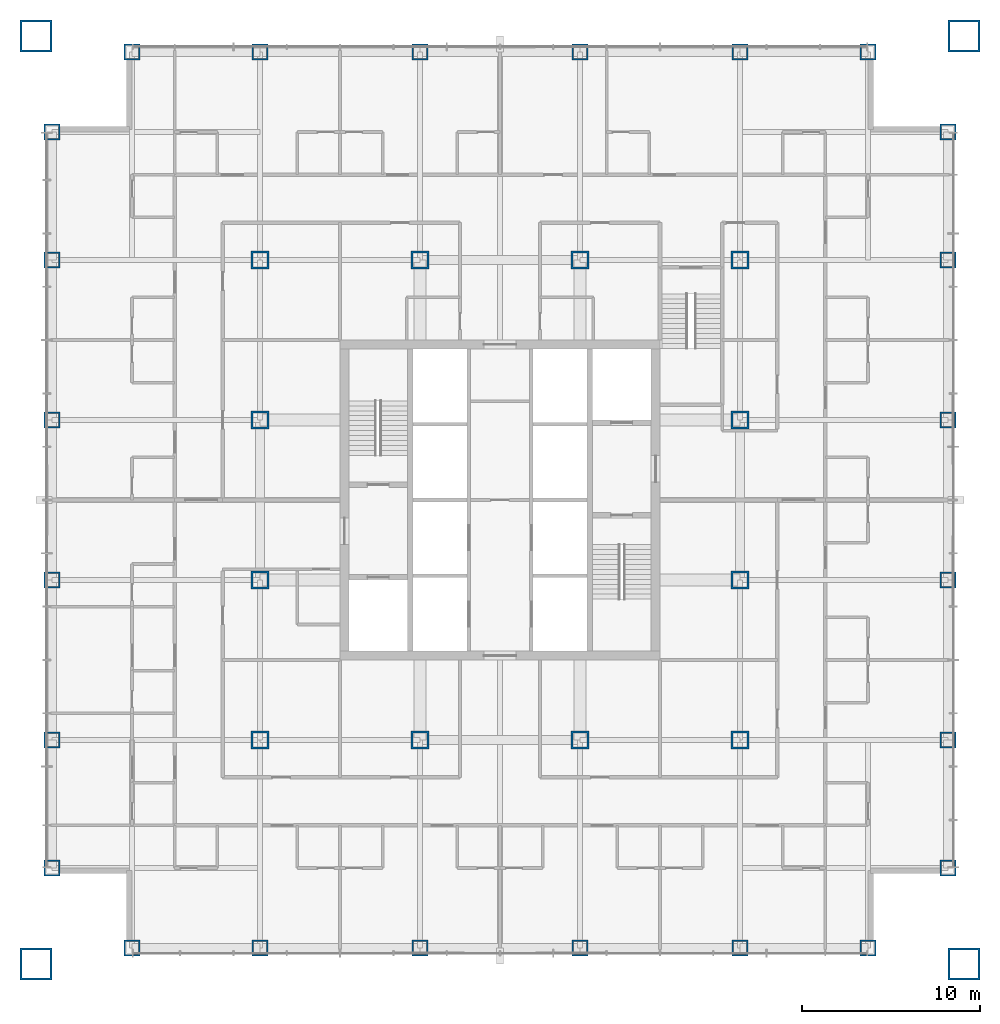
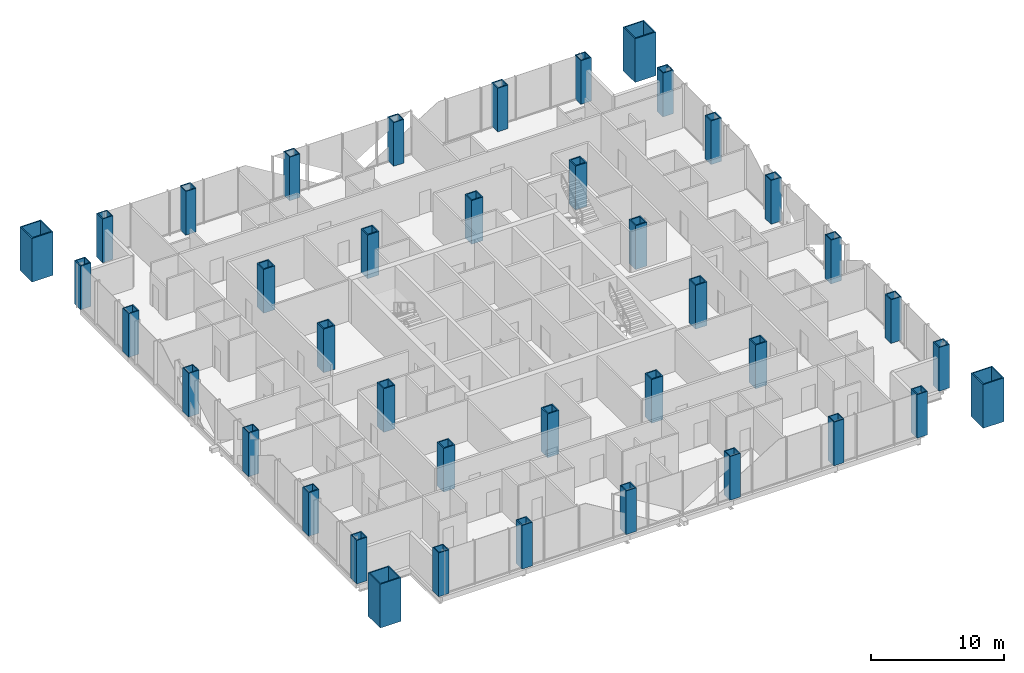
# One storey, part 1 of 13: 40 columns.
"""IFC4 building model written with IfcOpenShell, lengths in metres."""

from ifc_helpers import new_model, si_unit, direction, frame, origin, origin_2d, place, context, subcontext, project, spatial, hollow_rectangle, extrude, material, material_profile, profile_set, type_object, element, save


model = new_model("IFC4")

# Units and contexts
model_context = context("Model", 3, precision=1e-05, world=origin(), true_north=direction((0.0, 1.0)))
body_context = subcontext(model_context, "Body", "Model", "MODEL_VIEW")
ifc_project = project(units=[si_unit("LENGTHUNIT", "METRE"), si_unit("AREAUNIT", "SQUARE_METRE"), si_unit("VOLUMEUNIT", "CUBIC_METRE"), si_unit("PLANEANGLEUNIT", "RADIAN"), si_unit("MASSUNIT", "GRAM", prefix="KILO")], contexts=[model_context])

# Site, building, storey
site_placement = place(None, origin())
site = spatial("IfcSite", under=ifc_project, at=site_placement, CompositionType="ELEMENT")
building_placement = place(site_placement, origin())
building = spatial("IfcBuilding", under=site, at=building_placement, Name="Malebo Sky Hospital", CompositionType="ELEMENT")
storey_placement = place(building_placement, frame((0.0, 0.0, 47.0)))
storey = spatial("IfcBuildingStorey", under=building, at=storey_placement, Name="L10", CompositionType="ELEMENT", Elevation=47.0)

# Columns
ifc_material = material(Name="Steel S460", Category="steel")
ifc_material_profile_1 = material_profile(ifc_material, hollow_rectangle(XDim=1.0, YDim=1.0, WallThickness=0.10009765625, at=origin_2d()), Name="BOX 1000x1000x100")
ifc_profile_set_1 = profile_set([ifc_material_profile_1], Name="Steel S460")
column_type_1 = type_object("IfcColumnType", Name="INNER COLUMN BOX 1000x1000x100", PredefinedType="COLUMN", material=ifc_profile_set_1)
for number, where, z_axis, x_axis, name in (
    (1, (46.5, 48.5, 0.0), (0.0, 0.0, 1.0), (1.0, 0.0, 0.0), "Column IC9 L10"),
    (2, (73.5, 48.5, 0.0), (0.0, 0.0, 1.0), (1.0, 0.0, 0.0), "Column IC9 L10"),
    (3, (73.5, 75.5, 0.0), (0.0, 0.0, 1.0), (1.0, 0.0, 0.0), "Column IC9 L10"),
    (4, (46.5, 75.5, 0.0), (0.0, 0.0, 1.0), (1.0, 0.0, 0.0), "Column IC9 L10"),
    (5, (55.5, 48.5, 0.0), (0.0, 0.0, 1.0), (1.0, 0.0, 0.0), "Column IC9 L10"),
    (6, (64.5, 48.5, 0.0), (0.0, 0.0, 1.0), (1.0, 0.0, 0.0), "Column IC9 L10"),
    (7, (55.5, 75.5, 0.0), (0.0, 0.0, 1.0), (1.0, 0.0, 0.0), "Column IC9 L10"),
    (8, (64.5, 75.5, 0.0), (0.0, 0.0, 1.0), (1.0, 0.0, 0.0), "Column IC9 L10"),
    (9, (46.5, 57.5, 0.0), (0.0, 0.0, 1.0), (1.0, 0.0, 0.0), "Column IC9 L10"),
    (10, (46.5, 66.5, 0.0), (0.0, 0.0, 1.0), (1.0, 0.0, 0.0), "Column IC9 L10"),
    (11, (73.5, 57.5, 0.0), (0.0, 0.0, 1.0), (1.0, 0.0, 0.0), "Column IC9 L10"),
    (12, (73.5, 66.5, 0.0), (0.0, 0.0, 1.0), (1.0, 0.0, 0.0), "Column IC9 L10"),
):
    element("IfcColumn", number, at=place(storey_placement, frame(where, z_axis=z_axis, x_axis=x_axis)), inside=storey, type_object=column_type_1, Name=name, PredefinedType="COLUMN", context=body_context, shape_type="SweptSolid", body=[
        extrude(hollow_rectangle(XDim=1.0, YDim=1.0, WallThickness=0.10009765625, at=origin_2d()), origin(), (0.0, 0.0, 1.0), 4.0),
    ])
ifc_material_profile_2 = material_profile(ifc_material, hollow_rectangle(XDim=1.800048828125, YDim=1.800048828125, WallThickness=0.10009765625, at=origin_2d()), Name="BOX 1800x1800x100")
ifc_profile_set_2 = profile_set([ifc_material_profile_2], Name="Steel S460")
column_type_2 = type_object("IfcColumnType", Name="MEGA COLUMN BOX 1800x1800x100", PredefinedType="COLUMN", material=ifc_profile_set_2)
for number, where, z_axis, x_axis, name in (
    (13, (33.89990234375, 35.89990234375, 0.0), (0.0, 0.0, 1.0), (1.0, 0.0, 0.0), "Mega column SW L10"),
    (14, (86.10009765625, 35.89990234375, 0.0), (0.0, 0.0, 1.0), (1.0, 0.0, 0.0), "Mega column SE L10"),
    (15, (86.10009765625, 88.10009765625, 0.0), (0.0, 0.0, 1.0), (1.0, 0.0, 0.0), "Mega column NE L10"),
    (16, (33.89990234375, 88.10009765625, 0.0), (0.0, 0.0, 1.0), (1.0, 0.0, 0.0), "Mega column NW L10"),
):
    element("IfcColumn", number, at=place(storey_placement, frame(where, z_axis=z_axis, x_axis=x_axis)), inside=storey, type_object=column_type_2, Name=name, PredefinedType="COLUMN", context=body_context, shape_type="SweptSolid", body=[
        extrude(hollow_rectangle(XDim=1.800048828125, YDim=1.800048828125, WallThickness=0.10009765625, at=origin_2d()), origin(), (0.0, 0.0, 1.0), 4.0),
    ])
ifc_material_profile_3 = material_profile(ifc_material, hollow_rectangle(XDim=0.89990234375, YDim=0.89990234375, WallThickness=0.080078125, at=origin_2d()), Name="BOX 900x900x80")
ifc_profile_set_3 = profile_set([ifc_material_profile_3], Name="Steel S460")
column_type_3 = type_object("IfcColumnType", Name="PERIMETER COLUMN BOX 900x900x80", PredefinedType="COLUMN", material=ifc_profile_set_3)
for number, where, z_axis, x_axis, name in (
    (17, (39.300048828125, 36.800048828125, 0.0), (0.0, 0.0, 1.0), (1.0, 0.0, 0.0), "Column PC8 L10"),
    (18, (39.300048828125, 87.199951171875, 0.0), (0.0, 0.0, 1.0), (1.0, 0.0, 0.0), "Column PC8 L10"),
    (19, (34.800048828125, 41.300048828125, 0.0), (0.0, 0.0, 1.0), (1.0, 0.0, 0.0), "Column PC8 L10"),
    (20, (85.199951171875, 41.300048828125, 0.0), (0.0, 0.0, 1.0), (1.0, 0.0, 0.0), "Column PC8 L10"),
    (21, (46.5, 36.800048828125, 0.0), (0.0, 0.0, 1.0), (1.0, 0.0, 0.0), "Column PC8 L10"),
    (22, (46.5, 87.199951171875, 0.0), (0.0, 0.0, 1.0), (1.0, 0.0, 0.0), "Column PC8 L10"),
    (23, (34.800048828125, 48.5, 0.0), (0.0, 0.0, 1.0), (1.0, 0.0, 0.0), "Column PC8 L10"),
    (24, (85.199951171875, 48.5, 0.0), (0.0, 0.0, 1.0), (1.0, 0.0, 0.0), "Column PC8 L10"),
    (25, (55.5, 36.800048828125, 0.0), (0.0, 0.0, 1.0), (1.0, 0.0, 0.0), "Column PC8 L10"),
    (26, (55.5, 87.199951171875, 0.0), (0.0, 0.0, 1.0), (1.0, 0.0, 0.0), "Column PC8 L10"),
    (27, (34.800048828125, 57.5, 0.0), (0.0, 0.0, 1.0), (1.0, 0.0, 0.0), "Column PC8 L10"),
    (28, (85.199951171875, 57.5, 0.0), (0.0, 0.0, 1.0), (1.0, 0.0, 0.0), "Column PC8 L10"),
    (29, (64.5, 36.800048828125, 0.0), (0.0, 0.0, 1.0), (1.0, 0.0, 0.0), "Column PC8 L10"),
    (30, (64.5, 87.199951171875, 0.0), (0.0, 0.0, 1.0), (1.0, 0.0, 0.0), "Column PC8 L10"),
    (31, (34.800048828125, 66.5, 0.0), (0.0, 0.0, 1.0), (1.0, 0.0, 0.0), "Column PC8 L10"),
    (32, (85.199951171875, 66.5, 0.0), (0.0, 0.0, 1.0), (1.0, 0.0, 0.0), "Column PC8 L10"),
    (33, (73.5, 36.800048828125, 0.0), (0.0, 0.0, 1.0), (1.0, 0.0, 0.0), "Column PC8 L10"),
    (34, (73.5, 87.199951171875, 0.0), (0.0, 0.0, 1.0), (1.0, 0.0, 0.0), "Column PC8 L10"),
    (35, (34.800048828125, 75.5, 0.0), (0.0, 0.0, 1.0), (1.0, 0.0, 0.0), "Column PC8 L10"),
    (36, (85.199951171875, 75.5, 0.0), (0.0, 0.0, 1.0), (1.0, 0.0, 0.0), "Column PC8 L10"),
    (37, (80.699951171875, 36.800048828125, 0.0), (0.0, 0.0, 1.0), (1.0, 0.0, 0.0), "Column PC8 L10"),
    (38, (80.699951171875, 87.199951171875, 0.0), (0.0, 0.0, 1.0), (1.0, 0.0, 0.0), "Column PC8 L10"),
    (39, (34.800048828125, 82.699951171875, 0.0), (0.0, 0.0, 1.0), (1.0, 0.0, 0.0), "Column PC8 L10"),
    (40, (85.199951171875, 82.699951171875, 0.0), (0.0, 0.0, 1.0), (1.0, 0.0, 0.0), "Column PC8 L10"),
):
    element("IfcColumn", number, at=place(storey_placement, frame(where, z_axis=z_axis, x_axis=x_axis)), inside=storey, type_object=column_type_3, Name=name, PredefinedType="COLUMN", context=body_context, shape_type="SweptSolid", body=[
        extrude(hollow_rectangle(XDim=0.89990234375, YDim=0.89990234375, WallThickness=0.080078125, at=origin_2d()), origin(), (0.0, 0.0, 1.0), 4.0),
    ])

save(model, "model.ifc")
